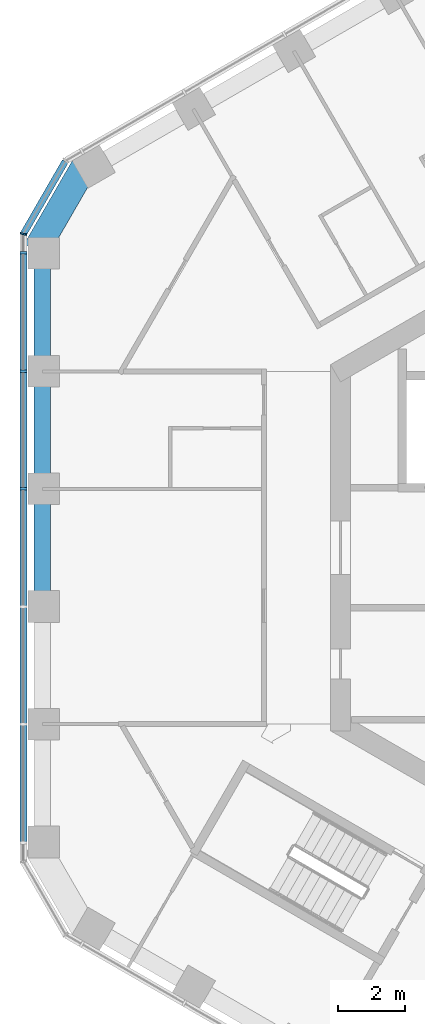
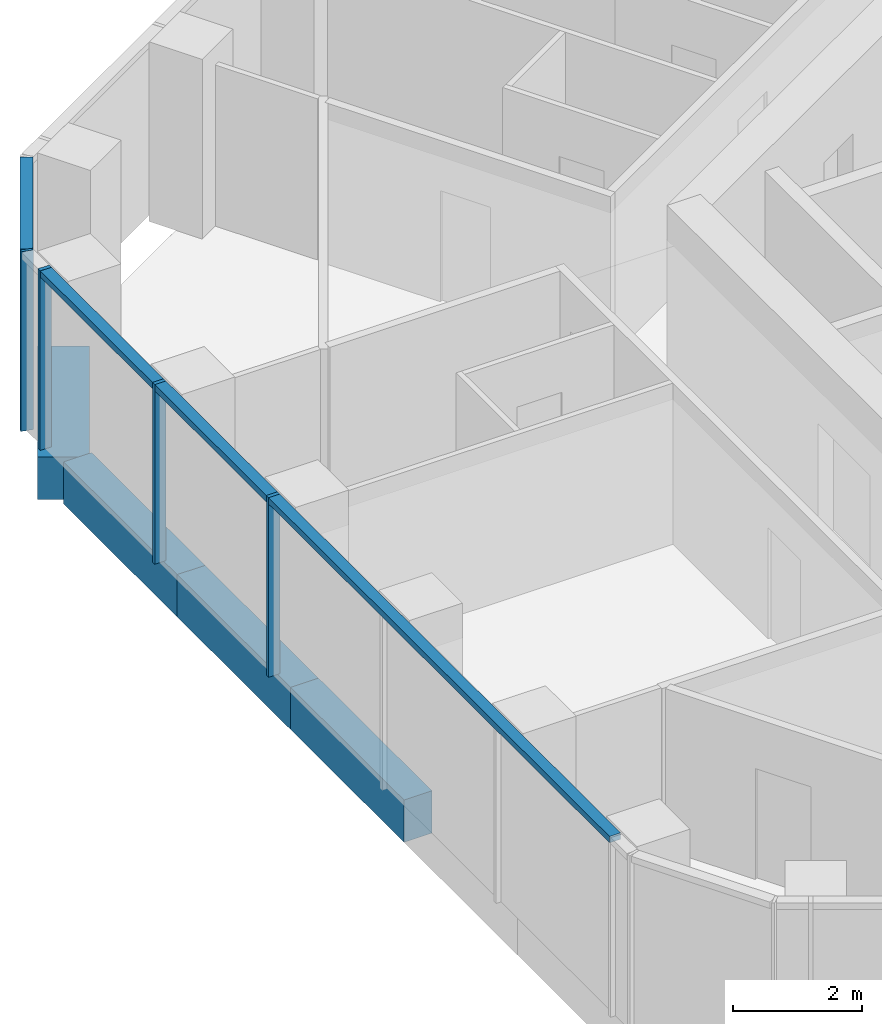
# One storey, part 4 of 19: 6 members, 4 beams, 2 elements without a shape of their own.
"""IFC4 building model written with IfcOpenShell, lengths in metres."""

from ifc_helpers import new_model, si_unit, direction, frame, origin, origin_2d, place, context, subcontext, project, spatial, rectangle, extrude, material, layer, layer_set, material_profile, profile_set, type_object, element, aggregate, save


model = new_model("IFC4")

# Units and contexts
model_context = context("Model", 3, precision=1e-05, world=origin(), true_north=direction((0.0, 1.0)))
body_context = subcontext(model_context, "Body", "Model", "MODEL_VIEW")
ifc_project = project(units=[si_unit("LENGTHUNIT", "METRE"), si_unit("AREAUNIT", "SQUARE_METRE"), si_unit("VOLUMEUNIT", "CUBIC_METRE"), si_unit("PLANEANGLEUNIT", "RADIAN"), si_unit("MASSUNIT", "GRAM", prefix="KILO")], contexts=[model_context])

# Site, building, storey
site_placement = place(None, origin())
site = spatial("IfcSite", under=ifc_project, at=site_placement, CompositionType="ELEMENT")
building_placement = place(site_placement, origin())
building = spatial("IfcBuilding", under=site, at=building_placement, Name="Ayvan Gate Tower", CompositionType="ELEMENT")
storey_placement = place(building_placement, frame((0.0, 0.0, 156.10009765625)))
storey = spatial("IfcBuildingStorey", under=building, at=storey_placement, Name="L41", CompositionType="ELEMENT", Elevation=156.10009765625)

# Beams
ifc_material_1 = material(Name="Concrete C40/50", Category="concrete")
ifc_material_profile_1 = material_profile(ifc_material_1, rectangle(XDim=0.800048828125, YDim=0.800048828125, at=origin_2d()), Name="RC 800x800")
ifc_profile_set_1 = profile_set([ifc_material_profile_1], Name="Concrete C40/50")
beam_type_1 = type_object("IfcBeamType", Name="Corner spandrel beam RC 800x800 C40/50", PredefinedType="BEAM", material=ifc_profile_set_1)
beam_1_placement = place(storey_placement, frame((-16.830810546875, 11.502685546875, -0.75), z_axis=(-0.499990139034, -0.866031096941, 0.0), x_axis=(0.866031096941, -0.499990139034, 0.0)))
element("IfcBeam", 1, at=beam_1_placement, inside=storey, type_object=beam_type_1, Name="SB-L41-18", PredefinedType="BEAM", context=body_context, shape_type="SweptSolid", body=[
    extrude(rectangle(XDim=0.800048828125, YDim=0.800048828125, at=origin_2d()), origin(), (0.0, 0.0, 1.0), 3.0),
])
ifc_material_profile_2 = material_profile(ifc_material_1, rectangle(XDim=0.5, YDim=0.800048828125, at=origin_2d()), Name="RC 500x800")
ifc_profile_set_2 = profile_set([ifc_material_profile_2], Name="Concrete C40/50")
beam_type_2 = type_object("IfcBeamType", Name="Spandrel beam RC 500x800 C40/50", PredefinedType="BEAM", material=ifc_profile_set_2)
for number, where, z_axis, x_axis, name in (
    (2, (-18.140380859375, 8.794677734375, -0.75), (0.0, -1.0, 0.0), (1.0, 0.0, 0.0), "SB-L41-19"),
    (3, (-18.140380859375, 5.27685546875, -0.75), (0.0, -1.0, 0.0), (1.0, 0.0, 0.0), "SB-L41-20"),
):
    element("IfcBeam", number, at=place(storey_placement, frame(where, z_axis=z_axis, x_axis=x_axis)), inside=storey, type_object=beam_type_2, Name=name, PredefinedType="BEAM", context=body_context, shape_type="SweptSolid", body=[
        extrude(rectangle(XDim=0.5, YDim=0.800048828125, at=origin_2d()), origin(), (0.0, 0.0, 1.0), 3.517822265625),
    ])
beam_2_placement = place(storey_placement, frame((-18.140380859375, 1.759033203125, -0.75), z_axis=(0.0, -1.0, 0.0), x_axis=(1.0, 0.0, 0.0)))
element("IfcBeam", 4, at=beam_2_placement, inside=storey, type_object=beam_type_2, Name="SB-L41-21", PredefinedType="BEAM", context=body_context, shape_type="SweptSolid", body=[
    extrude(rectangle(XDim=0.5, YDim=0.800048828125, at=origin_2d()), origin(), (0.0, 0.0, 1.0), 3.51806640625),
])

# Curtain wall, members
ifc_material_2 = material(Name="Bronze anodised aluminium", Category="aluminium")
ifc_layer_1 = layer(ifc_material_2, 0.199951171875)
ifc_layer_set_1 = layer_set([ifc_layer_1], Name="Bronze anodised aluminium")
curtain_wall_type_1 = type_object("IfcCurtainWallType", Name="Stick curtain wall CW-2", PredefinedType="NOTDEFINED", material=ifc_layer_set_1)
curtain_wall_1_placement = place(storey_placement, origin())
curtain_wall_1 = element("IfcCurtainWall", 5, at=curtain_wall_1_placement, inside=storey, type_object=curtain_wall_type_1, Name="Stick curtain wall CW-2 L41", PredefinedType="NOTDEFINED")
ifc_material_profile_3 = material_profile(ifc_material_2, rectangle(XDim=0.199951171875, YDim=0.070068359375, at=origin_2d()), Name="Stick curtain wall CW-2 mullion 200 x 70")
ifc_profile_set_3 = profile_set([ifc_material_profile_3], Name="Bronze anodised aluminium")
member_type_1 = type_object("IfcMemberType", Name="Stick curtain wall CW-2 mullion 200 x 70", PredefinedType="MULLION", material=ifc_profile_set_3)
member_1_placement = place(storey_placement, frame((-18.7021484375, 8.843017578125, 0.0), z_axis=(0.0, 0.0, 1.0), x_axis=(-1.0, 0.0, 0.0)))
member_1 = element("IfcMember", 6, at=member_1_placement, type_object=member_type_1, Name="CW-2 mullion 1", PredefinedType="MULLION", context=body_context, shape_type="SweptSolid", body=[
    extrude(rectangle(XDim=0.199951171875, YDim=0.070068359375, at=origin_2d()), origin(), (0.0, 0.0, 1.0), 3.39990234375),
])
member_2_placement = place(storey_placement, frame((-18.7021484375, 5.2919921875, 0.0), z_axis=(0.0, 0.0, 1.0), x_axis=(-1.0, 0.0, 0.0)))
member_2 = element("IfcMember", 7, at=member_2_placement, type_object=member_type_1, Name="CW-2 mullion 2", PredefinedType="MULLION", context=body_context, shape_type="SweptSolid", body=[
    extrude(rectangle(XDim=0.199951171875, YDim=0.070068359375, at=origin_2d()), origin(), (0.0, 0.0, 1.0), 3.39990234375),
])
member_3_placement = place(storey_placement, frame((-18.7021484375, 1.763916015625, 0.0), z_axis=(0.0, 0.0, 1.0), x_axis=(-1.0, 0.0, 0.0)))
member_3 = element("IfcMember", 8, at=member_3_placement, type_object=member_type_1, Name="CW-2 mullion 3", PredefinedType="MULLION", context=body_context, shape_type="SweptSolid", body=[
    extrude(rectangle(XDim=0.199951171875, YDim=0.070068359375, at=origin_2d()), origin(), (0.0, 0.0, 1.0), 3.39990234375),
])
ifc_material_profile_4 = material_profile(ifc_material_2, rectangle(XDim=0.199951171875, YDim=0.1201171875, at=origin_2d()), Name="Stick curtain wall CW-2 transom 200 x 120")
ifc_profile_set_4 = profile_set([ifc_material_profile_4], Name="Bronze anodised aluminium")
member_type_2 = type_object("IfcMemberType", Name="Stick curtain wall CW-2 transom 200 x 120", PredefinedType="USERDEFINED", material=ifc_profile_set_4)
member_4_placement = place(storey_placement, frame((-18.7021484375, 8.843017578125, 3.33984375), z_axis=(0.0, -1.0, 0.0), x_axis=(1.0, 0.0, 0.0)))
member_4 = element("IfcMember", 9, at=member_4_placement, type_object=member_type_2, Name="CW-2 transom 1", ObjectType="TRANSOM", PredefinedType="USERDEFINED", context=body_context, shape_type="SweptSolid", body=[
    extrude(rectangle(XDim=0.199951171875, YDim=0.1201171875, at=origin_2d()), origin(), (0.0, 0.0, 1.0), 17.68603515625),
])
aggregate(curtain_wall_1, [member_1, member_2, member_3, member_4])

ifc_layer_2 = layer(ifc_material_2, 0.199951171875)
ifc_layer_set_2 = layer_set([ifc_layer_2], Name="Bronze anodised aluminium")
curtain_wall_type_2 = type_object("IfcCurtainWallType", Name="Stick curtain wall CW-6", PredefinedType="NOTDEFINED", material=ifc_layer_set_2)
curtain_wall_2_placement = place(storey_placement, origin())
curtain_wall_2 = element("IfcCurtainWall", 10, at=curtain_wall_2_placement, inside=storey, type_object=curtain_wall_type_2, Name="Stick curtain wall CW-6 L41", PredefinedType="NOTDEFINED")
ifc_material_profile_5 = material_profile(ifc_material_2, rectangle(XDim=0.199951171875, YDim=0.050048828125, at=origin_2d()), Name="Stick curtain wall CW-6 mullion 200 x 50")
ifc_profile_set_5 = profile_set([ifc_material_profile_5], Name="Bronze anodised aluminium")
member_type_3 = type_object("IfcMemberType", Name="Stick curtain wall CW-6 mullion 200 x 50", PredefinedType="MULLION", material=ifc_profile_set_5)
member_5_placement = place(storey_placement, frame((-18.7021484375, 9.40283203125, 0.0), z_axis=(0.0, 0.0, 1.0), x_axis=(-0.965925826289, 0.258819045103, 0.0)))
member_5 = element("IfcMember", 11, at=member_5_placement, type_object=member_type_3, Name="CW-6 mullion 3", PredefinedType="MULLION", context=body_context, shape_type="SweptSolid", body=[
    extrude(rectangle(XDim=0.199951171875, YDim=0.050048828125, at=origin_2d()), origin(), (0.0, 0.0, 1.0), 3.39990234375),
])
ifc_material_profile_6 = material_profile(ifc_material_2, rectangle(XDim=0.199951171875, YDim=0.1201171875, at=origin_2d()), Name="Stick curtain wall CW-6 transom 200 x 120")
ifc_profile_set_6 = profile_set([ifc_material_profile_6], Name="Bronze anodised aluminium")
member_type_4 = type_object("IfcMemberType", Name="Stick curtain wall CW-6 transom 200 x 120", PredefinedType="USERDEFINED", material=ifc_profile_set_6)
member_6_placement = place(storey_placement, frame((-17.447509765625, 11.576171875, 3.33984375), z_axis=(-0.499986149909, -0.86603339999, 0.0), x_axis=(0.86603339999, -0.499986149909, 0.0)))
member_6 = element("IfcMember", 12, at=member_6_placement, type_object=member_type_4, Name="CW-6 transom 2", ObjectType="TRANSOM", PredefinedType="USERDEFINED", context=body_context, shape_type="SweptSolid", body=[
    extrude(rectangle(XDim=0.199951171875, YDim=0.1201171875, at=origin_2d()), origin(), (0.0, 0.0, 1.0), 2.484375),
])
aggregate(curtain_wall_2, [member_5, member_6])

save(model, "model.ifc")
